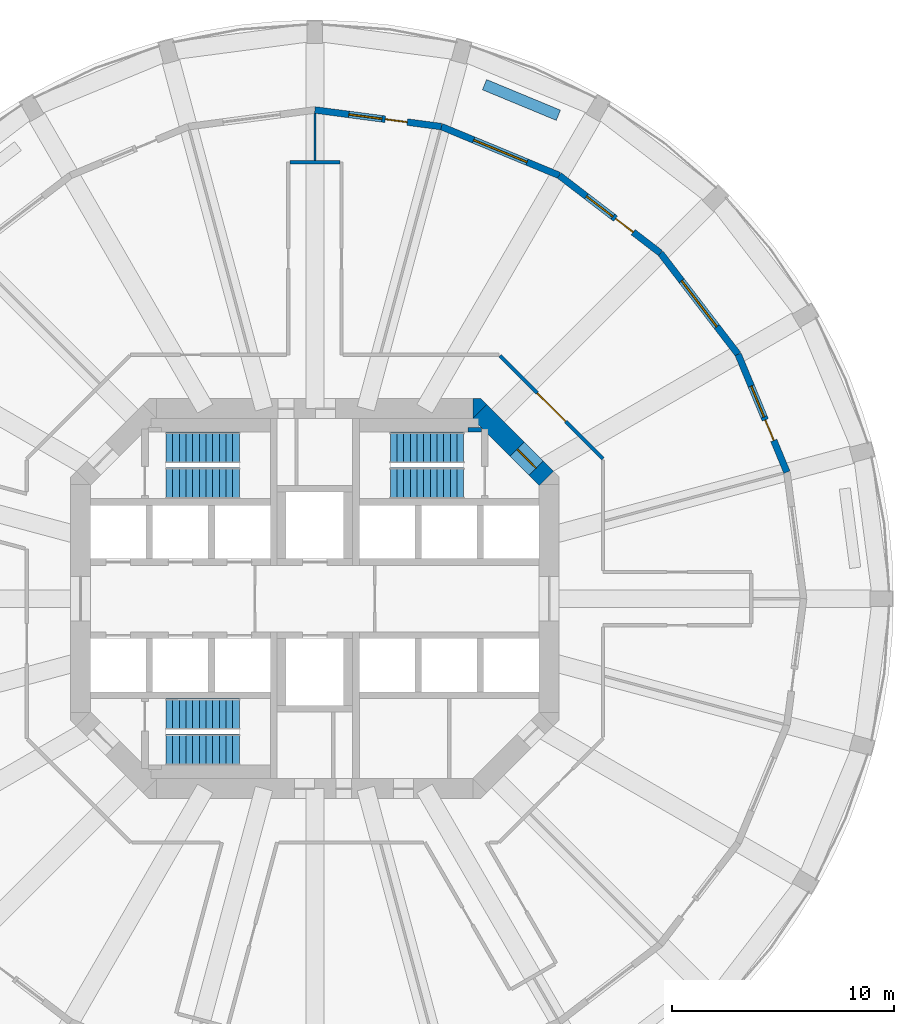
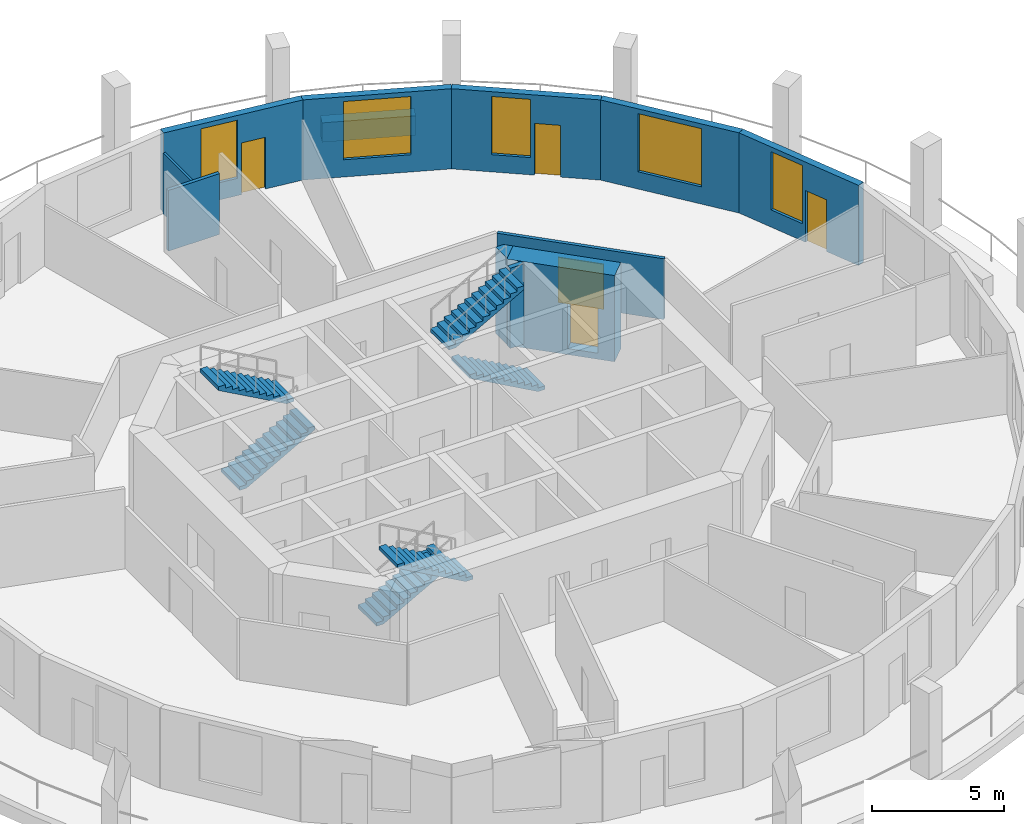
# One storey, part 6 of 8: 12 walls, 6 stair flights, 5 doors, 5 windows, 10 openings, 3 elements without a shape of their own.
"""IFC4 building model written with IfcOpenShell, lengths in metres."""

from ifc_helpers import new_model, si_unit, direction, frame, frame_2d, origin, place, context, subcontext, project, spatial, polyline, rectangle, outline, extrude, material, layer, layer_set, type_object, element, fill, aggregate, save


model = new_model("IFC4")

# Units and contexts
model_context = context("Model", 3, precision=1e-05, world=origin(), true_north=direction((0.0, 1.0)))
body_context = subcontext(model_context, "Body", "Model", "MODEL_VIEW")
ifc_project = project(units=[si_unit("LENGTHUNIT", "METRE"), si_unit("AREAUNIT", "SQUARE_METRE"), si_unit("VOLUMEUNIT", "CUBIC_METRE"), si_unit("PLANEANGLEUNIT", "RADIAN"), si_unit("MASSUNIT", "GRAM", prefix="KILO")], contexts=[model_context])

# Site, building, storey
site_placement = place(None, origin())
site = spatial("IfcSite", under=ifc_project, at=site_placement, CompositionType="ELEMENT")
building_placement = place(site_placement, origin())
building = spatial("IfcBuilding", under=site, at=building_placement, Name="Torre Triforio", CompositionType="ELEMENT")
storey_placement = place(building_placement, frame((0.0, 0.0, 94.60009765625)))
storey = spatial("IfcBuildingStorey", under=building, at=storey_placement, Name="L20", CompositionType="ELEMENT", Elevation=94.60009765625)

# Wall, opening, door
ifc_material_1 = material(Name="Concrete C60", Category="concrete")
ifc_layer_1 = layer(ifc_material_1, 0.89990234375)
ifc_layer_set_1 = layer_set([ifc_layer_1], Name="Concrete C60")
wall_type_1 = type_object("IfcWallType", Name="Core wall 900 mm C60 EI 120", PredefinedType="SHEAR", material=ifc_layer_set_1)
wall_1_placement = place(storey_placement, frame((7.418212890625, 8.418212890625, -0.280029296875), z_axis=(0.0, 0.0, 1.0), x_axis=(0.707106781187, -0.707106781187, 0.0)))
wall_1 = element("IfcWall", 1, at=wall_1_placement, inside=storey, type_object=wall_type_1, Name="Core wall", PredefinedType="SHEAR", context=body_context, shape_type="SweptSolid", body=[
    extrude(rectangle(XDim=4.24267578125, YDim=0.89990234375, at=frame_2d((2.121337890625, 0.0))), origin(), (0.0, 0.0, 1.0), 4.0),
])
opening_1_placement = place(wall_1_placement, frame((2.392578125, 0.0, 0.280029296875)))
opening_1 = element("IfcOpeningElement", 2, at=opening_1_placement, cuts=wall_1, Name="Opening ST2-EXIT", PredefinedType="OPENING", context=body_context, shape_type="SweptSolid", body=[
    extrude(rectangle(XDim=1.199951171875, YDim=2.10009765625, at=frame_2d((0.60009765625, 1.050048828125))), frame((0.0, 0.4599609375, 0.0), z_axis=(0.0, -1.0, 0.0), x_axis=(1.0, 0.0, 0.0)), (0.0, 0.0, 1.0), 0.919921875),
])
ifc_material_2 = material(Name="Hollow metal fire door leaf")
door_type_1 = type_object("IfcDoorType", Name="Stair lobby door 1200 x 2100 EI 60", OperationType="NOTDEFINED", PredefinedType="DOOR", material=ifc_material_2)
door_1_placement = place(opening_1_placement, origin())
door_1 = element("IfcDoor", 3, at=door_1_placement, inside=storey, type_object=door_type_1, Name="Core door ST2-EXIT", OperationType="SINGLE_SWING_RIGHT", OverallHeight=2.10009765625, OverallWidth=1.199951171875, PredefinedType="DOOR", context=body_context, shape_type="SweptSolid", body=[
    extrude(rectangle(XDim=1.199951171875, YDim=2.10009765625, at=frame_2d((0.60009765625, 1.050048828125))), frame((0.0, 0.02490234375, 0.0), z_axis=(0.0, -1.0, 0.0), x_axis=(1.0, 0.0, 0.0)), (0.0, 0.0, 1.0), 0.050048828125),
])
fill(opening_1, door_1)

# Walls
wall_2_placement = place(storey_placement, frame((0.0, 0.0, -0.280029296875)))
element("IfcWall", 4, at=wall_2_placement, inside=storey, type_object=wall_type_1, Name="Core wall", PredefinedType="SHEAR", context=body_context, shape_type="SweptSolid", body=[
    extrude(outline(polyline([(7.472900390625, 9.0), (7.736328125, 8.736328125), (7.1298828125, 8.1298828125), (7.1298828125, 9.0), (7.472900390625, 9.0)])), origin(), (0.0, 0.0, 1.0), 4.0),
])
ifc_material_3 = material(Name="Plasterboard on metal studs")
ifc_layer_2 = layer(ifc_material_3, 0.14990234375)
ifc_layer_set_2 = layer_set([ifc_layer_2], Name="Plasterboard on metal studs")
wall_type_2 = type_object("IfcWallType", Name="Corridor and tenancy wall 150 mm EI 60", PredefinedType="PARTITIONING", material=ifc_layer_set_2)
wall_3_placement = place(storey_placement, frame((-1.125, 19.648681640625, 0.0), z_axis=(0.0, 0.0, 1.0), x_axis=(1.0, 0.0, 0.0)))
element("IfcWall", 5, at=wall_3_placement, inside=storey, type_object=wall_type_2, Name="Partition 22", PredefinedType="PARTITIONING", context=body_context, shape_type="SweptSolid", body=[
    extrude(rectangle(XDim=2.25, YDim=0.14990234375, at=frame_2d((1.125, 0.0))), origin(), (0.0, 0.0, 1.0), 2.81982421875),
])

# Wall, opening, door
wall_4_placement = place(storey_placement, frame((8.327880859375, 10.93798828125, 0.0), z_axis=(0.0, 0.0, 1.0), x_axis=(0.707125355289, -0.707088206597, 0.0)))
wall_4 = element("IfcWall", 6, at=wall_4_placement, inside=storey, type_object=wall_type_2, Name="Partition 25", PredefinedType="PARTITIONING", context=body_context, shape_type="SweptSolid", body=[
    extrude(rectangle(XDim=6.572021484375, YDim=0.14990234375, at=frame_2d((3.2861328125, 0.0))), origin(), (0.0, 0.0, 1.0), 2.81982421875),
])
opening_2_placement = place(wall_4_placement, frame((2.385986328125, 0.0, 0.0)))
opening_2 = element("IfcOpeningElement", 7, at=opening_2_placement, cuts=wall_4, Name="Opening N6-01", PredefinedType="OPENING", context=body_context, shape_type="SweptSolid", body=[
    extrude(rectangle(XDim=1.800048828125, YDim=2.10009765625, at=frame_2d((0.89990234375, 1.050048828125))), frame((0.0, 0.0849609375, 0.0), z_axis=(0.0, -1.0, 0.0), x_axis=(1.0, 0.0, 0.0)), (0.0, 0.0, 1.0), 0.169921875),
])
ifc_material_4 = material(Name="Timber", Category="wood")
door_type_2 = type_object("IfcDoorType", Name="Door 1800 x 2100 double leaf EI 30", OperationType="DOUBLE_DOOR_SINGLE_SWING", PredefinedType="DOOR", material=ifc_material_4)
door_2_placement = place(opening_2_placement, origin())
door_2 = element("IfcDoor", 8, at=door_2_placement, inside=storey, type_object=door_type_2, Name="Door N6-01", OperationType="DOUBLE_DOOR_SINGLE_SWING", OverallHeight=2.10009765625, OverallWidth=1.800048828125, PredefinedType="DOOR", context=body_context, shape_type="SweptSolid", body=[
    extrude(rectangle(XDim=1.800048828125, YDim=2.10009765625, at=frame_2d((0.89990234375, 1.050048828125))), frame((0.0, 0.02490234375, 0.0), z_axis=(0.0, -1.0, 0.0), x_axis=(1.0, 0.0, 0.0)), (0.0, 0.0, 1.0), 0.050048828125),
])
fill(opening_2, door_2)

# Walls
ifc_layer_3 = layer(ifc_material_3, 0.10009765625)
ifc_layer_set_3 = layer_set([ifc_layer_3], Name="Plasterboard on metal studs")
wall_type_3 = type_object("IfcWallType", Name="Partition 100 mm board on metal studs", PredefinedType="PARTITIONING", material=ifc_layer_set_3)
wall_5_placement = place(storey_placement, frame((0.0, 19.7236328125, 0.0), z_axis=(0.0, 0.0, 1.0), x_axis=(0.0, 1.0, 0.0)))
element("IfcWall", 9, at=wall_5_placement, inside=storey, type_object=wall_type_3, Name="Partition 32", PredefinedType="PARTITIONING", context=body_context, shape_type="SweptSolid", body=[
    extrude(rectangle(XDim=2.113037109375, YDim=0.10009765625, at=frame_2d((1.056640625, 0.0))), origin(), (0.0, 0.0, 1.0), 2.81982421875),
])
ifc_material_5 = material(Name="Limestone cladding", Category="masonry")
ifc_layer_4 = layer(ifc_material_5, 0.10009765625)
ifc_material_6 = material(Name="Concrete C40", Category="concrete")
ifc_layer_5 = layer(ifc_material_6, 0.39990234375)
ifc_layer_set_4 = layer_set([ifc_layer_4, ifc_layer_5], Name="Limestone cladding / Concrete C40")
wall_type_4 = type_object("IfcWallType", Name="Planter wall 500", PredefinedType="PARAPET", material=ifc_layer_set_4)
wall_6_placement = place(storey_placement, frame((10.962158203125, 21.761474609375, 0.0), z_axis=(0.0, 0.0, 1.0), x_axis=(-0.923875488976, 0.382693194178, 0.0)))
element("IfcWall", 10, at=wall_6_placement, inside=storey, type_object=wall_type_4, Name="Planter L20 bay 05", PredefinedType="PARAPET", context=body_context, shape_type="SweptSolid", body=[
    extrude(rectangle(XDim=3.599853515625, YDim=0.5, at=frame_2d((1.7998046875, 0.0))), origin(), (0.0, 0.0, 1.0), 0.89990234375),
])
ifc_layer_6 = layer(ifc_material_1, 0.199951171875)
ifc_layer_set_5 = layer_set([ifc_layer_6], Name="Concrete C60")
wall_type_5 = type_object("IfcWallType", Name="Stair wall 200 mm C60 EI 120", PredefinedType="SHEAR", material=ifc_layer_set_5)
wall_7_placement = place(storey_placement, frame((6.89990234375, 7.60009765625, 0.0), z_axis=(0.0, 0.0, 1.0), x_axis=(1.0, 0.0, 0.0)))
element("IfcWall", 11, at=wall_7_placement, inside=storey, type_object=wall_type_5, Name="Stair wall", PredefinedType="SHEAR", context=body_context, shape_type="SweptSolid", body=[
    extrude(rectangle(XDim=0.60009765625, YDim=0.199951171875, at=frame_2d((0.300048828125, 0.0))), origin(), (0.0, 0.0, 1.0), 3.719970703125),
])

# Wall, openings, door, window
ifc_layer_7 = layer(ifc_material_5, 0.10009765625)
ifc_layer_8 = layer(ifc_material_6, 0.199951171875)
ifc_layer_set_6 = layer_set([ifc_layer_7, ifc_layer_8], Name="Limestone cladding / Concrete C40")
wall_type_6 = type_object("IfcWallType", Name="Stone-faced composite wall 300", PredefinedType="STANDARD", material=ifc_layer_set_6)
wall_8_placement = place(storey_placement, frame((21.25048828125, 5.694091796875, 0.0), z_axis=(0.0, 0.0, 1.0), x_axis=(-0.382715966503, 0.923866055759, 0.0)))
wall_8 = element("IfcWall", 12, at=wall_8_placement, inside=storey, type_object=wall_type_6, Name="External wall L20 bay 02", PredefinedType="STANDARD", context=body_context, shape_type="SweptSolid", body=[
    extrude(rectangle(XDim=5.7431640625, YDim=0.300048828125, at=frame_2d((2.87158203125, 0.0))), origin(), (0.0, 0.0, 1.0), 3.719970703125),
])
opening_3_placement = place(wall_8_placement, frame((1.546630859375, 0.0, 0.0)))
opening_3 = element("IfcOpeningElement", 13, at=opening_3_placement, cuts=wall_8, Name="Opening N6-D02", PredefinedType="OPENING", context=body_context, shape_type="SweptSolid", body=[
    extrude(rectangle(XDim=1.0, YDim=2.39990234375, at=frame_2d((0.5, 1.199951171875))), frame((0.0, 0.159912109375, 0.0), z_axis=(0.0, -1.0, 0.0), x_axis=(1.0, 0.0, 0.0)), (0.0, 0.0, 1.0), 0.320068359375),
])
opening_4_placement = place(wall_8_placement, frame((2.696533203125, 0.0, 0.800048828125)))
opening_4 = element("IfcOpeningElement", 14, at=opening_4_placement, cuts=wall_8, Name="Opening N6-W02A", PredefinedType="OPENING", context=body_context, shape_type="SweptSolid", body=[
    extrude(rectangle(XDim=1.5, YDim=2.699951171875, at=frame_2d((0.75, 1.35009765625))), frame((0.0, 0.159912109375, 0.0), z_axis=(0.0, -1.0, 0.0), x_axis=(1.0, 0.0, 0.0)), (0.0, 0.0, 1.0), 0.320068359375),
])
ifc_material_7 = material(Name="Aluminium frame with clear double glazing", Category="aluminium")
door_type_3 = type_object("IfcDoorType", Name="Loggia door 1000 x 2400", OperationType="NOTDEFINED", PredefinedType="DOOR", material=ifc_material_7)
door_3_placement = place(opening_3_placement, origin())
door_3 = element("IfcDoor", 15, at=door_3_placement, inside=storey, type_object=door_type_3, Name="Loggia door L20 bay 02", OperationType="SINGLE_SWING_LEFT", OverallHeight=2.39990234375, OverallWidth=1.0, PredefinedType="DOOR", context=body_context, shape_type="SweptSolid", body=[
    extrude(rectangle(XDim=1.0, YDim=2.39990234375, at=frame_2d((0.5, 1.199951171875))), frame((0.0, 0.02490234375, 0.0), z_axis=(0.0, -1.0, 0.0), x_axis=(1.0, 0.0, 0.0)), (0.0, 0.0, 1.0), 0.050048828125),
])
fill(opening_3, door_3)
window_type_1 = type_object("IfcWindowType", Name="Side window 1500 x 2700", PartitioningType="SINGLE_PANEL", PredefinedType="WINDOW", material=ifc_material_7)
window_1_placement = place(opening_4_placement, origin())
window_1 = element("IfcWindow", 16, at=window_1_placement, inside=storey, type_object=window_type_1, Name="Side window EWN12 L20 bay 02", OverallHeight=2.699951171875, OverallWidth=1.5, PartitioningType="SINGLE_PANEL", PredefinedType="WINDOW", context=body_context, shape_type="SweptSolid", body=[
    extrude(rectangle(XDim=1.5, YDim=2.699951171875, at=frame_2d((0.75, 1.35009765625))), frame((0.0, 0.030029296875, 0.0), z_axis=(0.0, -1.0, 0.0), x_axis=(1.0, 0.0, 0.0)), (0.0, 0.0, 1.0), 0.06005859375),
])
fill(opening_4, window_1)

# Wall, opening, window
wall_9_placement = place(storey_placement, frame((19.052490234375, 11.0, 0.0), z_axis=(0.0, 0.0, 1.0), x_axis=(-0.608744744291, 0.793366142647, 0.0)))
wall_9 = element("IfcWall", 17, at=wall_9_placement, inside=storey, type_object=wall_type_6, Name="External wall L20 bay 03", PredefinedType="STANDARD", context=body_context, shape_type="SweptSolid", body=[
    extrude(rectangle(XDim=5.7431640625, YDim=0.300048828125, at=frame_2d((2.87158203125, 0.0))), origin(), (0.0, 0.0, 1.0), 3.719970703125),
])
opening_5_placement = place(wall_9_placement, frame((1.571533203125, 0.0, 0.800048828125)))
opening_5 = element("IfcOpeningElement", 18, at=opening_5_placement, cuts=wall_9, Name="Opening N6-W03", PredefinedType="OPENING", context=body_context, shape_type="SweptSolid", body=[
    extrude(rectangle(XDim=2.60009765625, YDim=2.699951171875, at=frame_2d((1.300048828125, 1.35009765625))), frame((0.0, 0.159912109375, 0.0), z_axis=(0.0, -1.0, 0.0), x_axis=(1.0, 0.0, 0.0)), (0.0, 0.0, 1.0), 0.320068359375),
])
window_type_2 = type_object("IfcWindowType", Name="Punched window 2600 x 2700", PartitioningType="DOUBLE_PANEL_VERTICAL", PredefinedType="WINDOW", material=ifc_material_7)
window_2_placement = place(opening_5_placement, origin())
window_2 = element("IfcWindow", 19, at=window_2_placement, inside=storey, type_object=window_type_2, Name="Window EWN2 L20 bay 03", OverallHeight=2.699951171875, OverallWidth=2.60009765625, PartitioningType="SINGLE_PANEL", PredefinedType="WINDOW", context=body_context, shape_type="SweptSolid", body=[
    extrude(rectangle(XDim=2.60009765625, YDim=2.699951171875, at=frame_2d((1.300048828125, 1.35009765625))), frame((0.0, 0.030029296875, 0.0), z_axis=(0.0, -1.0, 0.0), x_axis=(1.0, 0.0, 0.0)), (0.0, 0.0, 1.0), 0.06005859375),
])
fill(opening_5, window_2)

# Wall, openings, door, window
wall_10_placement = place(storey_placement, frame((15.556396484375, 15.556396484375, 0.0), z_axis=(0.0, 0.0, 1.0), x_axis=(-0.793366142647, 0.608744744291, 0.0)))
wall_10 = element("IfcWall", 20, at=wall_10_placement, inside=storey, type_object=wall_type_6, Name="External wall L20 bay 04", PredefinedType="STANDARD", context=body_context, shape_type="SweptSolid", body=[
    extrude(rectangle(XDim=5.7431640625, YDim=0.300048828125, at=frame_2d((2.87158203125, 0.0))), origin(), (0.0, 0.0, 1.0), 3.719970703125),
])
opening_6_placement = place(wall_10_placement, frame((1.546630859375, 0.0, 0.0)))
opening_6 = element("IfcOpeningElement", 21, at=opening_6_placement, cuts=wall_10, Name="Opening N6-D04", PredefinedType="OPENING", context=body_context, shape_type="SweptSolid", body=[
    extrude(rectangle(XDim=1.0, YDim=2.39990234375, at=frame_2d((0.5, 1.199951171875))), frame((0.0, 0.159912109375, 0.0), z_axis=(0.0, -1.0, 0.0), x_axis=(1.0, 0.0, 0.0)), (0.0, 0.0, 1.0), 0.320068359375),
])
opening_7_placement = place(wall_10_placement, frame((2.696533203125, 0.0, 0.800048828125)))
opening_7 = element("IfcOpeningElement", 22, at=opening_7_placement, cuts=wall_10, Name="Opening N6-W04A", PredefinedType="OPENING", context=body_context, shape_type="SweptSolid", body=[
    extrude(rectangle(XDim=1.5, YDim=2.699951171875, at=frame_2d((0.75, 1.35009765625))), frame((0.0, 0.159912109375, 0.0), z_axis=(0.0, -1.0, 0.0), x_axis=(1.0, 0.0, 0.0)), (0.0, 0.0, 1.0), 0.320068359375),
])
door_4_placement = place(opening_6_placement, origin())
door_4 = element("IfcDoor", 23, at=door_4_placement, inside=storey, type_object=door_type_3, Name="Loggia door L20 bay 04", OperationType="SINGLE_SWING_LEFT", OverallHeight=2.39990234375, OverallWidth=1.0, PredefinedType="DOOR", context=body_context, shape_type="SweptSolid", body=[
    extrude(rectangle(XDim=1.0, YDim=2.39990234375, at=frame_2d((0.5, 1.199951171875))), frame((0.0, 0.02490234375, 0.0), z_axis=(0.0, -1.0, 0.0), x_axis=(1.0, 0.0, 0.0)), (0.0, 0.0, 1.0), 0.050048828125),
])
fill(opening_6, door_4)
window_3_placement = place(opening_7_placement, origin())
window_3 = element("IfcWindow", 24, at=window_3_placement, inside=storey, type_object=window_type_1, Name="Side window EWN12 L20 bay 04", OverallHeight=2.699951171875, OverallWidth=1.5, PartitioningType="SINGLE_PANEL", PredefinedType="WINDOW", context=body_context, shape_type="SweptSolid", body=[
    extrude(rectangle(XDim=1.5, YDim=2.699951171875, at=frame_2d((0.75, 1.35009765625))), frame((0.0, 0.030029296875, 0.0), z_axis=(0.0, -1.0, 0.0), x_axis=(1.0, 0.0, 0.0)), (0.0, 0.0, 1.0), 0.06005859375),
])
fill(opening_7, window_3)

# Wall, opening, window
wall_11_placement = place(storey_placement, frame((11.0, 19.052490234375, 0.0), z_axis=(0.0, 0.0, 1.0), x_axis=(-0.923866055759, 0.382715966503, 0.0)))
wall_11 = element("IfcWall", 25, at=wall_11_placement, inside=storey, type_object=wall_type_6, Name="External wall L20 bay 05", PredefinedType="STANDARD", context=body_context, shape_type="SweptSolid", body=[
    extrude(rectangle(XDim=5.7431640625, YDim=0.300048828125, at=frame_2d((2.87158203125, 0.0))), origin(), (0.0, 0.0, 1.0), 3.719970703125),
])
opening_8_placement = place(wall_11_placement, frame((1.571533203125, 0.0, 0.800048828125)))
opening_8 = element("IfcOpeningElement", 26, at=opening_8_placement, cuts=wall_11, Name="Opening N6-W05", PredefinedType="OPENING", context=body_context, shape_type="SweptSolid", body=[
    extrude(rectangle(XDim=2.60009765625, YDim=2.699951171875, at=frame_2d((1.300048828125, 1.35009765625))), frame((0.0, 0.159912109375, 0.0), z_axis=(0.0, -1.0, 0.0), x_axis=(1.0, 0.0, 0.0)), (0.0, 0.0, 1.0), 0.320068359375),
])
window_4_placement = place(opening_8_placement, origin())
window_4 = element("IfcWindow", 27, at=window_4_placement, inside=storey, type_object=window_type_2, Name="Window EWN2 L20 bay 05", OverallHeight=2.699951171875, OverallWidth=2.60009765625, PartitioningType="SINGLE_PANEL", PredefinedType="WINDOW", context=body_context, shape_type="SweptSolid", body=[
    extrude(rectangle(XDim=2.60009765625, YDim=2.699951171875, at=frame_2d((1.300048828125, 1.35009765625))), frame((0.0, 0.030029296875, 0.0), z_axis=(0.0, -1.0, 0.0), x_axis=(1.0, 0.0, 0.0)), (0.0, 0.0, 1.0), 0.06005859375),
])
fill(opening_8, window_4)

# Wall, openings, door, window
wall_12_placement = place(storey_placement, frame((5.694091796875, 21.25048828125, 0.0), z_axis=(0.0, 0.0, 1.0), x_axis=(-0.991447783331, 0.130503995834, 0.0)))
wall_12 = element("IfcWall", 28, at=wall_12_placement, inside=storey, type_object=wall_type_6, Name="External wall L20 bay 06", PredefinedType="STANDARD", context=body_context, shape_type="SweptSolid", body=[
    extrude(rectangle(XDim=5.7431640625, YDim=0.300048828125, at=frame_2d((2.87158203125, 0.0))), origin(), (0.0, 0.0, 1.0), 3.719970703125),
])
opening_9_placement = place(wall_12_placement, frame((1.546630859375, 0.0, 0.0)))
opening_9 = element("IfcOpeningElement", 29, at=opening_9_placement, cuts=wall_12, Name="Opening N6-D06", PredefinedType="OPENING", context=body_context, shape_type="SweptSolid", body=[
    extrude(rectangle(XDim=1.0, YDim=2.39990234375, at=frame_2d((0.5, 1.199951171875))), frame((0.0, 0.159912109375, 0.0), z_axis=(0.0, -1.0, 0.0), x_axis=(1.0, 0.0, 0.0)), (0.0, 0.0, 1.0), 0.320068359375),
])
opening_10_placement = place(wall_12_placement, frame((2.696533203125, 0.0, 0.800048828125)))
opening_10 = element("IfcOpeningElement", 30, at=opening_10_placement, cuts=wall_12, Name="Opening N6-W06A", PredefinedType="OPENING", context=body_context, shape_type="SweptSolid", body=[
    extrude(rectangle(XDim=1.5, YDim=2.699951171875, at=frame_2d((0.75, 1.35009765625))), frame((0.0, 0.159912109375, 0.0), z_axis=(0.0, -1.0, 0.0), x_axis=(1.0, 0.0, 0.0)), (0.0, 0.0, 1.0), 0.320068359375),
])
door_5_placement = place(opening_9_placement, origin())
door_5 = element("IfcDoor", 31, at=door_5_placement, inside=storey, type_object=door_type_3, Name="Loggia door L20 bay 06", OperationType="SINGLE_SWING_RIGHT", OverallHeight=2.39990234375, OverallWidth=1.0, PredefinedType="DOOR", context=body_context, shape_type="SweptSolid", body=[
    extrude(rectangle(XDim=1.0, YDim=2.39990234375, at=frame_2d((0.5, 1.199951171875))), frame((0.0, 0.02490234375, 0.0), z_axis=(0.0, -1.0, 0.0), x_axis=(1.0, 0.0, 0.0)), (0.0, 0.0, 1.0), 0.050048828125),
])
fill(opening_9, door_5)
window_5_placement = place(opening_10_placement, origin())
window_5 = element("IfcWindow", 32, at=window_5_placement, inside=storey, type_object=window_type_1, Name="Side window EWN12 L20 bay 06", OverallHeight=2.699951171875, OverallWidth=1.5, PartitioningType="SINGLE_PANEL", PredefinedType="WINDOW", context=body_context, shape_type="SweptSolid", body=[
    extrude(rectangle(XDim=1.5, YDim=2.699951171875, at=frame_2d((0.75, 1.35009765625))), frame((0.0, 0.030029296875, 0.0), z_axis=(0.0, -1.0, 0.0), x_axis=(1.0, 0.0, 0.0)), (0.0, 0.0, 1.0), 0.06005859375),
])
fill(opening_10, window_5)

# Stair, stair flights
stair_type = type_object("IfcStairType", Name="STAIR HALF-TURN", PredefinedType="HALF_TURN_STAIR", material=ifc_material_6)
stair_1_placement = place(storey_placement, origin())
stair_1 = element("IfcStair", 33, at=stair_1_placement, inside=storey, type_object=stair_type, Name="Exit stair 1", PredefinedType="HALF_TURN_STAIR")
stair_flight_type = type_object("IfcStairFlightType", Name="STAIR FLIGHT 1400", PredefinedType="STRAIGHT", material=ifc_material_6)
stair_flight_1_placement = place(storey_placement, frame((-6.699951171875, 5.199951171875, 0.0), z_axis=(0.0, 0.0, 1.0), x_axis=(1.0, 0.0, 0.0)))
stair_flight_1 = element("IfcStairFlight", 34, at=stair_flight_1_placement, type_object=stair_flight_type, Name="ST1 flight 1", NumberOfRisers=12, NumberOfTreads=11, PredefinedType="STRAIGHT", RiserHeight=0.166666667, TreadLength=0.3, context=body_context, shape_type="SweptSolid", body=[
    extrude(outline(polyline([(0.0, 0.0), (0.0, 0.166748046875), (0.300048828125, 0.166748046875), (0.300048828125, 0.333251953125), (0.60009765625, 0.333251953125), (0.60009765625, 0.5), (0.89990234375, 0.5), (0.89990234375, 0.666748046875), (1.199951171875, 0.666748046875), (1.199951171875, 0.833251953125), (1.5, 0.833251953125), (1.5, 1.0), (1.800048828125, 1.0), (1.800048828125, 1.166748046875), (2.10009765625, 1.166748046875), (2.10009765625, 1.333251953125), (2.39990234375, 1.333251953125), (2.39990234375, 1.5), (2.699951171875, 1.5), (2.699951171875, 1.666748046875), (3.0, 1.666748046875), (3.0, 1.833251953125), (3.300048828125, 1.833251953125), (3.300048828125, 2.0), (3.300048828125, 1.661865234375), (0.30859375, 0.0), (0.0, 0.0)])), frame((0.0, 0.699951171875, 0.0), z_axis=(0.0, -1.0, 0.0), x_axis=(1.0, 0.0, 0.0)), (0.0, 0.0, 1.0), 1.39990234375),
])
stair_flight_2_placement = place(storey_placement, frame((-3.39990234375, 6.800048828125, 2.0), z_axis=(0.0, 0.0, 1.0), x_axis=(-1.0, 0.0, 0.0)))
stair_flight_2 = element("IfcStairFlight", 35, at=stair_flight_2_placement, type_object=stair_flight_type, Name="ST1 flight 2", NumberOfRisers=12, NumberOfTreads=11, PredefinedType="STRAIGHT", RiserHeight=0.166666667, TreadLength=0.3, context=body_context, shape_type="SweptSolid", body=[
    extrude(outline(polyline([(0.0, 0.0), (0.0, 0.166748046875), (0.300048828125, 0.166748046875), (0.300048828125, 0.333251953125), (0.60009765625, 0.333251953125), (0.60009765625, 0.5), (0.89990234375, 0.5), (0.89990234375, 0.666748046875), (1.199951171875, 0.666748046875), (1.199951171875, 0.833251953125), (1.5, 0.833251953125), (1.5, 1.0), (1.800048828125, 1.0), (1.800048828125, 1.166748046875), (2.10009765625, 1.166748046875), (2.10009765625, 1.333251953125), (2.39990234375, 1.333251953125), (2.39990234375, 1.5), (2.699951171875, 1.5), (2.699951171875, 1.666748046875), (3.0, 1.666748046875), (3.0, 1.833251953125), (3.300048828125, 1.833251953125), (3.300048828125, 2.0), (3.300048828125, 1.661865234375), (0.30859375, 0.0), (0.0, 0.0)])), frame((0.0, 0.699951171875, 0.0), z_axis=(0.0, -1.0, 0.0), x_axis=(1.0, 0.0, 0.0)), (0.0, 0.0, 1.0), 1.39990234375),
])
aggregate(stair_1, [stair_flight_1, stair_flight_2])

stair_2_placement = place(storey_placement, origin())
stair_2 = element("IfcStair", 36, at=stair_2_placement, inside=storey, type_object=stair_type, Name="Exit stair 2", PredefinedType="HALF_TURN_STAIR")
stair_flight_3_placement = place(storey_placement, frame((6.699951171875, 5.199951171875, 0.0), z_axis=(0.0, 0.0, 1.0), x_axis=(-1.0, 0.0, 0.0)))
stair_flight_3 = element("IfcStairFlight", 37, at=stair_flight_3_placement, type_object=stair_flight_type, Name="ST2 flight 1", NumberOfRisers=12, NumberOfTreads=11, PredefinedType="STRAIGHT", RiserHeight=0.166666667, TreadLength=0.3, context=body_context, shape_type="SweptSolid", body=[
    extrude(outline(polyline([(0.0, 0.0), (0.0, 0.166748046875), (0.300048828125, 0.166748046875), (0.300048828125, 0.333251953125), (0.60009765625, 0.333251953125), (0.60009765625, 0.5), (0.89990234375, 0.5), (0.89990234375, 0.666748046875), (1.199951171875, 0.666748046875), (1.199951171875, 0.833251953125), (1.5, 0.833251953125), (1.5, 1.0), (1.800048828125, 1.0), (1.800048828125, 1.166748046875), (2.10009765625, 1.166748046875), (2.10009765625, 1.333251953125), (2.39990234375, 1.333251953125), (2.39990234375, 1.5), (2.699951171875, 1.5), (2.699951171875, 1.666748046875), (3.0, 1.666748046875), (3.0, 1.833251953125), (3.300048828125, 1.833251953125), (3.300048828125, 2.0), (3.300048828125, 1.661865234375), (0.30859375, 0.0), (0.0, 0.0)])), frame((0.0, 0.699951171875, 0.0), z_axis=(0.0, -1.0, 0.0), x_axis=(1.0, 0.0, 0.0)), (0.0, 0.0, 1.0), 1.39990234375),
])
stair_flight_4_placement = place(storey_placement, frame((3.39990234375, 6.800048828125, 2.0), z_axis=(0.0, 0.0, 1.0), x_axis=(1.0, 0.0, 0.0)))
stair_flight_4 = element("IfcStairFlight", 38, at=stair_flight_4_placement, type_object=stair_flight_type, Name="ST2 flight 2", NumberOfRisers=12, NumberOfTreads=11, PredefinedType="STRAIGHT", RiserHeight=0.166666667, TreadLength=0.3, context=body_context, shape_type="SweptSolid", body=[
    extrude(outline(polyline([(0.0, 0.0), (0.0, 0.166748046875), (0.300048828125, 0.166748046875), (0.300048828125, 0.333251953125), (0.60009765625, 0.333251953125), (0.60009765625, 0.5), (0.89990234375, 0.5), (0.89990234375, 0.666748046875), (1.199951171875, 0.666748046875), (1.199951171875, 0.833251953125), (1.5, 0.833251953125), (1.5, 1.0), (1.800048828125, 1.0), (1.800048828125, 1.166748046875), (2.10009765625, 1.166748046875), (2.10009765625, 1.333251953125), (2.39990234375, 1.333251953125), (2.39990234375, 1.5), (2.699951171875, 1.5), (2.699951171875, 1.666748046875), (3.0, 1.666748046875), (3.0, 1.833251953125), (3.300048828125, 1.833251953125), (3.300048828125, 2.0), (3.300048828125, 1.661865234375), (0.30859375, 0.0), (0.0, 0.0)])), frame((0.0, 0.699951171875, 0.0), z_axis=(0.0, -1.0, 0.0), x_axis=(1.0, 0.0, 0.0)), (0.0, 0.0, 1.0), 1.39990234375),
])
aggregate(stair_2, [stair_flight_3, stair_flight_4])

stair_3_placement = place(storey_placement, origin())
stair_3 = element("IfcStair", 39, at=stair_3_placement, inside=storey, type_object=stair_type, Name="Exit stair 3", PredefinedType="HALF_TURN_STAIR")
stair_flight_5_placement = place(storey_placement, frame((-6.699951171875, -5.199951171875, 0.0), z_axis=(0.0, 0.0, 1.0), x_axis=(1.0, 0.0, 0.0)))
stair_flight_5 = element("IfcStairFlight", 40, at=stair_flight_5_placement, type_object=stair_flight_type, Name="ST3 flight 1", NumberOfRisers=12, NumberOfTreads=11, PredefinedType="STRAIGHT", RiserHeight=0.166666667, TreadLength=0.3, context=body_context, shape_type="SweptSolid", body=[
    extrude(outline(polyline([(0.0, 0.0), (0.0, 0.166748046875), (0.300048828125, 0.166748046875), (0.300048828125, 0.333251953125), (0.60009765625, 0.333251953125), (0.60009765625, 0.5), (0.89990234375, 0.5), (0.89990234375, 0.666748046875), (1.199951171875, 0.666748046875), (1.199951171875, 0.833251953125), (1.5, 0.833251953125), (1.5, 1.0), (1.800048828125, 1.0), (1.800048828125, 1.166748046875), (2.10009765625, 1.166748046875), (2.10009765625, 1.333251953125), (2.39990234375, 1.333251953125), (2.39990234375, 1.5), (2.699951171875, 1.5), (2.699951171875, 1.666748046875), (3.0, 1.666748046875), (3.0, 1.833251953125), (3.300048828125, 1.833251953125), (3.300048828125, 2.0), (3.300048828125, 1.661865234375), (0.30859375, 0.0), (0.0, 0.0)])), frame((0.0, 0.699951171875, 0.0), z_axis=(0.0, -1.0, 0.0), x_axis=(1.0, 0.0, 0.0)), (0.0, 0.0, 1.0), 1.39990234375),
])
stair_flight_6_placement = place(storey_placement, frame((-3.39990234375, -6.800048828125, 2.0), z_axis=(0.0, 0.0, 1.0), x_axis=(-1.0, 0.0, 0.0)))
stair_flight_6 = element("IfcStairFlight", 41, at=stair_flight_6_placement, type_object=stair_flight_type, Name="ST3 flight 2", NumberOfRisers=12, NumberOfTreads=11, PredefinedType="STRAIGHT", RiserHeight=0.166666667, TreadLength=0.3, context=body_context, shape_type="SweptSolid", body=[
    extrude(outline(polyline([(0.0, 0.0), (0.0, 0.166748046875), (0.300048828125, 0.166748046875), (0.300048828125, 0.333251953125), (0.60009765625, 0.333251953125), (0.60009765625, 0.5), (0.89990234375, 0.5), (0.89990234375, 0.666748046875), (1.199951171875, 0.666748046875), (1.199951171875, 0.833251953125), (1.5, 0.833251953125), (1.5, 1.0), (1.800048828125, 1.0), (1.800048828125, 1.166748046875), (2.10009765625, 1.166748046875), (2.10009765625, 1.333251953125), (2.39990234375, 1.333251953125), (2.39990234375, 1.5), (2.699951171875, 1.5), (2.699951171875, 1.666748046875), (3.0, 1.666748046875), (3.0, 1.833251953125), (3.300048828125, 1.833251953125), (3.300048828125, 2.0), (3.300048828125, 1.661865234375), (0.30859375, 0.0), (0.0, 0.0)])), frame((0.0, 0.699951171875, 0.0), z_axis=(0.0, -1.0, 0.0), x_axis=(1.0, 0.0, 0.0)), (0.0, 0.0, 1.0), 1.39990234375),
])
aggregate(stair_3, [stair_flight_5, stair_flight_6])

save(model, "model.ifc")
